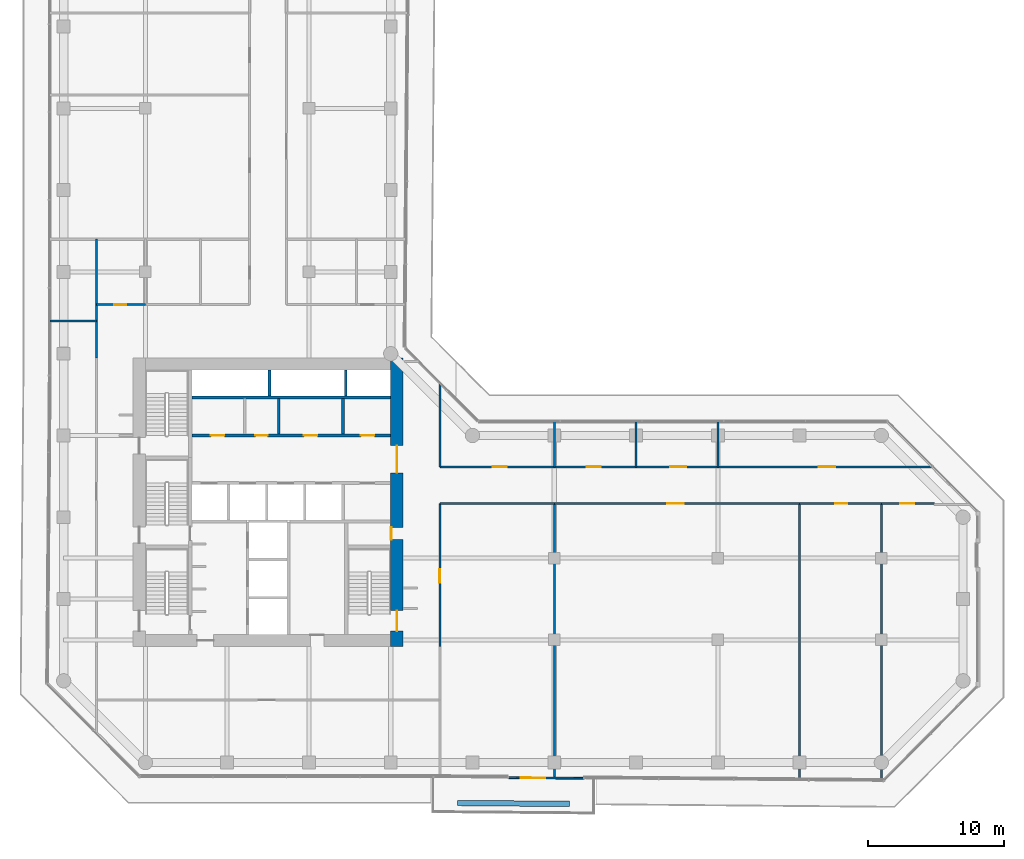
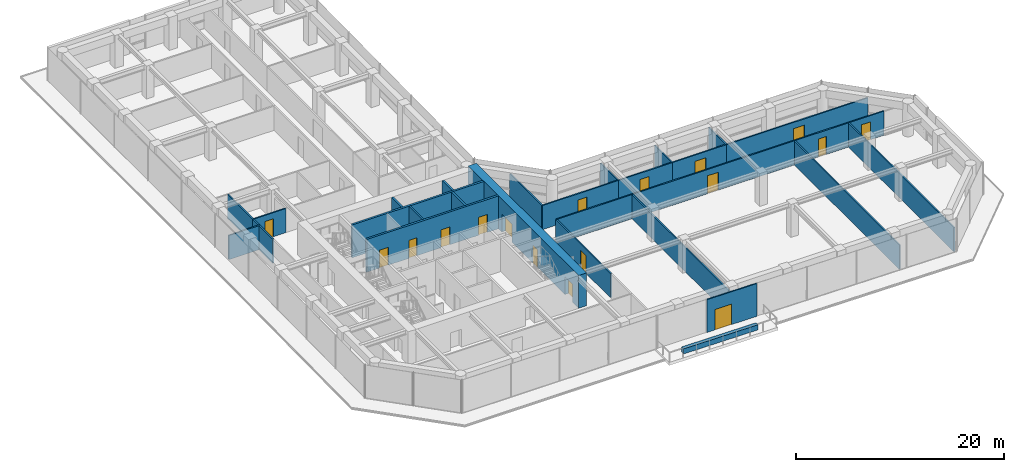
# One storey, part 24 of 29: 29 walls, 17 doors, 17 openings.
"""IFC4 building model written with IfcOpenShell, lengths in metres."""

from ifc_helpers import new_model, si_unit, direction, frame, frame_2d, origin, place, context, subcontext, project, spatial, rectangle, extrude, material, layer, layer_set, type_object, element, fill, save


model = new_model("IFC4")

# Units and contexts
model_context = context("Model", 3, precision=1e-05, world=origin(), true_north=direction((0.0, 1.0)))
body_context = subcontext(model_context, "Body", "Model", "MODEL_VIEW")
ifc_project = project(units=[si_unit("LENGTHUNIT", "METRE"), si_unit("AREAUNIT", "SQUARE_METRE"), si_unit("VOLUMEUNIT", "CUBIC_METRE"), si_unit("PLANEANGLEUNIT", "RADIAN"), si_unit("MASSUNIT", "GRAM", prefix="KILO")], contexts=[model_context])

# Site, building, storey
site_placement = place(None, origin())
site = spatial("IfcSite", under=ifc_project, at=site_placement, CompositionType="ELEMENT")
building_placement = place(site_placement, origin())
building = spatial("IfcBuilding", under=site, at=building_placement, Name="Welwitschia Terrace Campus", CompositionType="ELEMENT")
storey_placement = place(building_placement, frame((0.0, 0.0, 50.0)))
storey = spatial("IfcBuildingStorey", under=building, at=storey_placement, Name="L11", CompositionType="ELEMENT", Elevation=50.0)

# Wall, opening, door
ifc_material_1 = material(Name="Concrete C40/50", Category="concrete")
ifc_layer_1 = layer(ifc_material_1, 0.139892578125)
ifc_layer_set_1 = layer_set([ifc_layer_1], Name="Concrete C40/50")
wall_type_1 = type_object("IfcWallType", Name="Clad wall 140", PredefinedType="SOLIDWALL", material=ifc_layer_set_1)
wall_1_placement = place(storey_placement, frame((32.647216796875, -5.106201171875, 0.0), z_axis=(0.0, 0.0, 1.0), x_axis=(0.999962248572, -0.008689155911, 0.0)))
wall_1 = element("IfcWall", 1, at=wall_1_placement, inside=storey, type_object=wall_type_1, Name="Clad wall L11.terrace door 0", PredefinedType="SOLIDWALL", context=body_context, shape_type="SweptSolid", body=[
    extrude(rectangle(XDim=5.507080078125, YDim=0.139892578125, at=frame_2d((2.75341796875, 0.0))), origin(), (0.0, 0.0, 1.0), 3.85009765625),
])
opening_1_placement = place(wall_1_placement, frame((0.903076171875, 0.0, 0.0)))
opening_1 = element("IfcOpeningElement", 2, at=opening_1_placement, cuts=wall_1, Name="Opening DE3", PredefinedType="OPENING", context=body_context, shape_type="SweptSolid", body=[
    extrude(rectangle(XDim=1.800048828125, YDim=2.39990234375, at=frame_2d((0.89990234375, 1.199951171875))), frame((0.0, 0.079833984375, 0.0), z_axis=(0.0, -1.0, 0.0), x_axis=(1.0, 0.0, 0.0)), (0.0, 0.0, 1.0), 0.159912109375),
])
ifc_material_2 = material(Name="Bronze anodised aluminium and glass", Category="aluminium")
door_type_1 = type_object("IfcDoorType", Name="Terrace door 1800x2400", OperationType="DOUBLE_DOOR_DOUBLE_SWING", PredefinedType="DOOR", material=ifc_material_2)
door_1_placement = place(opening_1_placement, origin())
door_1 = element("IfcDoor", 3, at=door_1_placement, inside=storey, type_object=door_type_1, Name="Door L11:T0", OperationType="DOUBLE_DOOR_DOUBLE_SWING", OverallHeight=2.39990234375, OverallWidth=1.800048828125, PredefinedType="DOOR", context=body_context, shape_type="SweptSolid", body=[
    extrude(rectangle(XDim=1.800048828125, YDim=2.39990234375, at=frame_2d((0.89990234375, 1.199951171875))), frame((0.0, 0.02490234375, 0.0), z_axis=(0.0, -1.0, 0.0), x_axis=(1.0, 0.0, 0.0)), (0.0, 0.0, 1.0), 0.050048828125),
])
fill(opening_1, door_1)

# Wall
ifc_material_3 = material(Name="Concrete C32/40", Category="concrete")
ifc_layer_2 = layer(ifc_material_3, 0.175048828125)
ifc_layer_set_2 = layer_set([ifc_layer_2], Name="Concrete C32/40")
wall_type_2 = type_object("IfcWallType", Name="Core partition 175 Concrete C32/40", PredefinedType="PARTITIONING", material=ifc_layer_set_2)
wall_2_placement = place(storey_placement, frame((15.77490234375, 20.10009765625, 0.0), z_axis=(0.0, 0.0, 1.0), x_axis=(0.0, 1.0, 0.0)))
element("IfcWall", 4, at=wall_2_placement, inside=storey, type_object=wall_type_2, Name="Core partition", PredefinedType="PARTITIONING", context=body_context, shape_type="SweptSolid", body=[
    extrude(rectangle(XDim=2.599853515625, YDim=0.175048828125, at=frame_2d((1.2998046875, 0.0))), origin(), (0.0, 0.0, 1.0), 3.85009765625),
])

# Wall, openings, doors
ifc_material_4 = material(Name="Concrete C32/40", Category="concrete")
ifc_layer_3 = layer(ifc_material_4, 0.22509765625)
ifc_layer_set_3 = layer_set([ifc_layer_3], Name="Concrete C32/40")
wall_type_3 = type_object("IfcWallType", Name="Core partition 225 Concrete C32/40", PredefinedType="PARTITIONING", material=ifc_layer_set_3)
wall_3_placement = place(storey_placement, frame((24.0, 20.0, 0.0), z_axis=(0.0, 0.0, 1.0), x_axis=(-1.0, 0.0, 0.0)))
wall_3 = element("IfcWall", 5, at=wall_3_placement, inside=storey, type_object=wall_type_3, Name="Core partition", PredefinedType="PARTITIONING", context=body_context, shape_type="SweptSolid", body=[
    extrude(rectangle(XDim=14.60009765625, YDim=0.22509765625, at=frame_2d((7.300048828125, 0.0))), origin(), (0.0, 0.0, 1.0), 3.85009765625),
])
opening_2_placement = place(wall_3_placement, frame((12.199951171875, 0.0, 0.0)))
opening_2 = element("IfcOpeningElement", 6, at=opening_2_placement, cuts=wall_3, Name="Opening DR10", PredefinedType="OPENING", context=body_context, shape_type="SweptSolid", body=[
    extrude(rectangle(XDim=1.0, YDim=2.10009765625, at=frame_2d((0.5, 1.050048828125))), frame((0.0, 0.12255859375, 0.0), z_axis=(0.0, -1.0, 0.0), x_axis=(1.0, 0.0, 0.0)), (0.0, 0.0, 1.0), 0.2451171875),
])
opening_3_placement = place(wall_3_placement, frame((9.02490234375, 0.0, 0.0)))
opening_3 = element("IfcOpeningElement", 7, at=opening_3_placement, cuts=wall_3, Name="Opening DR09", PredefinedType="OPENING", context=body_context, shape_type="SweptSolid", body=[
    extrude(rectangle(XDim=0.89990234375, YDim=2.10009765625, at=frame_2d((0.449951171875, 1.050048828125))), frame((0.0, 0.12255859375, 0.0), z_axis=(0.0, -1.0, 0.0), x_axis=(1.0, 0.0, 0.0)), (0.0, 0.0, 1.0), 0.2451171875),
])
opening_4_placement = place(wall_3_placement, frame((5.375, 0.0, 0.0)))
opening_4 = element("IfcOpeningElement", 8, at=opening_4_placement, cuts=wall_3, Name="Opening DR10", PredefinedType="OPENING", context=body_context, shape_type="SweptSolid", body=[
    extrude(rectangle(XDim=1.0, YDim=2.10009765625, at=frame_2d((0.5, 1.050048828125))), frame((0.0, 0.12255859375, 0.0), z_axis=(0.0, -1.0, 0.0), x_axis=(1.0, 0.0, 0.0)), (0.0, 0.0, 1.0), 0.2451171875),
])
opening_5_placement = place(wall_3_placement, frame((1.199951171875, 0.0, 0.0)))
opening_5 = element("IfcOpeningElement", 9, at=opening_5_placement, cuts=wall_3, Name="Opening DR10", PredefinedType="OPENING", context=body_context, shape_type="SweptSolid", body=[
    extrude(rectangle(XDim=1.0, YDim=2.10009765625, at=frame_2d((0.5, 1.050048828125))), frame((0.0, 0.12255859375, 0.0), z_axis=(0.0, -1.0, 0.0), x_axis=(1.0, 0.0, 0.0)), (0.0, 0.0, 1.0), 0.2451171875),
])
ifc_material_5 = material(Name="Steel S275", Category="steel")
door_type_2 = type_object("IfcDoorType", Name="Core door DR09", OperationType="SINGLE_SWING_LEFT", PredefinedType="DOOR", material=ifc_material_5)
door_2_placement = place(opening_3_placement, origin())
door_2 = element("IfcDoor", 10, at=door_2_placement, inside=storey, type_object=door_type_2, Name="Door BAYH2-D", OperationType="SINGLE_SWING_RIGHT", OverallHeight=2.10009765625, OverallWidth=0.89990234375, PredefinedType="DOOR", context=body_context, shape_type="SweptSolid", body=[
    extrude(rectangle(XDim=0.89990234375, YDim=2.10009765625, at=frame_2d((0.449951171875, 1.050048828125))), frame((0.0, 0.02490234375, 0.0), z_axis=(0.0, -1.0, 0.0), x_axis=(1.0, 0.0, 0.0)), (0.0, 0.0, 1.0), 0.050048828125),
])
fill(opening_3, door_2)
ifc_material_6 = material(Name="Steel S275", Category="steel")
door_type_3 = type_object("IfcDoorType", Name="Core door DR10", OperationType="SINGLE_SWING_LEFT", PredefinedType="DOOR", material=ifc_material_6)
door_3_placement = place(opening_2_placement, origin())
door_3 = element("IfcDoor", 11, at=door_3_placement, inside=storey, type_object=door_type_3, Name="Door BAYH1-D", OperationType="SINGLE_SWING_RIGHT", OverallHeight=2.10009765625, OverallWidth=1.0, PredefinedType="DOOR", context=body_context, shape_type="SweptSolid", body=[
    extrude(rectangle(XDim=1.0, YDim=2.10009765625, at=frame_2d((0.5, 1.050048828125))), frame((0.0, 0.02490234375, 0.0), z_axis=(0.0, -1.0, 0.0), x_axis=(1.0, 0.0, 0.0)), (0.0, 0.0, 1.0), 0.050048828125),
])
fill(opening_2, door_3)
door_4_placement = place(opening_4_placement, origin())
door_4 = element("IfcDoor", 12, at=door_4_placement, inside=storey, type_object=door_type_3, Name="Door BAYH3-D", OperationType="SINGLE_SWING_LEFT", OverallHeight=2.10009765625, OverallWidth=1.0, PredefinedType="DOOR", context=body_context, shape_type="SweptSolid", body=[
    extrude(rectangle(XDim=1.0, YDim=2.10009765625, at=frame_2d((0.5, 1.050048828125))), frame((0.0, 0.02490234375, 0.0), z_axis=(0.0, -1.0, 0.0), x_axis=(1.0, 0.0, 0.0)), (0.0, 0.0, 1.0), 0.050048828125),
])
fill(opening_4, door_4)
door_5_placement = place(opening_5_placement, origin())
door_5 = element("IfcDoor", 13, at=door_5_placement, inside=storey, type_object=door_type_3, Name="Door EH-D", OperationType="SINGLE_SWING_LEFT", OverallHeight=2.10009765625, OverallWidth=1.0, PredefinedType="DOOR", context=body_context, shape_type="SweptSolid", body=[
    extrude(rectangle(XDim=1.0, YDim=2.10009765625, at=frame_2d((0.5, 1.050048828125))), frame((0.0, 0.02490234375, 0.0), z_axis=(0.0, -1.0, 0.0), x_axis=(1.0, 0.0, 0.0)), (0.0, 0.0, 1.0), 0.050048828125),
])
fill(opening_5, door_5)

# Walls
wall_4_placement = place(storey_placement, frame((9.39990234375, 22.800048828125, 0.0), z_axis=(0.0, 0.0, 1.0), x_axis=(1.0, 0.0, 0.0)))
element("IfcWall", 14, at=wall_4_placement, inside=storey, type_object=wall_type_3, Name="Shaft wall", PredefinedType="PARTITIONING", context=body_context, shape_type="SweptSolid", body=[
    extrude(rectangle(XDim=14.60009765625, YDim=0.22509765625, at=frame_2d((7.300048828125, 0.0))), origin(), (0.0, 0.0, 1.0), 3.85009765625),
])
wall_5_placement = place(storey_placement, frame((20.5, 20.10009765625, 0.0), z_axis=(0.0, 0.0, 1.0), x_axis=(0.0, 1.0, 0.0)))
element("IfcWall", 15, at=wall_5_placement, inside=storey, type_object=wall_type_3, Name="Core partition", PredefinedType="PARTITIONING", context=body_context, shape_type="SweptSolid", body=[
    extrude(rectangle(XDim=2.599853515625, YDim=0.22509765625, at=frame_2d((1.2998046875, 0.0))), origin(), (0.0, 0.0, 1.0), 3.85009765625),
])
ifc_material_7 = material(Name="Concrete C50/60", Category="concrete")
ifc_layer_4 = layer(ifc_material_7, 0.199951171875)
ifc_layer_set_4 = layer_set([ifc_layer_4], Name="Concrete C50/60")
wall_type_4 = type_object("IfcWallType", Name="Core wall 200 Concrete C50/60", PredefinedType="SHEAR", material=ifc_layer_set_4)
for number, where, z_axis, x_axis, name in (
    (16, (15.10009765625, 22.89990234375, 0.0), (0.0, 0.0, 1.0), (0.0, 1.0, 0.0), "Core wall"),
    (17, (20.699951171875, 22.89990234375, 0.0), (0.0, 0.0, 1.0), (0.0, 1.0, 0.0), "Core wall"),
):
    element("IfcWall", number, at=place(storey_placement, frame(where, z_axis=z_axis, x_axis=x_axis)), inside=storey, type_object=wall_type_4, Name=name, PredefinedType="SHEAR", context=body_context, shape_type="SweptSolid", body=[
        extrude(rectangle(XDim=1.900146484375, YDim=0.199951171875, at=frame_2d((0.9501953125, 0.0))), origin(), (0.0, 0.0, 1.0), 3.85009765625),
    ])

# Wall, openings, doors
ifc_material_8 = material(Name="Concrete C70/85", Category="concrete")
ifc_layer_5 = layer(ifc_material_8, 0.89990234375)
ifc_layer_set_5 = layer_set([ifc_layer_5], Name="Concrete C70/85")
wall_type_5 = type_object("IfcWallType", Name="Core wall 900 Concrete C70/85", PredefinedType="SHEAR", material=ifc_layer_set_5)
wall_6_placement = place(storey_placement, frame((24.449951171875, 25.699951171875, 0.0), z_axis=(0.0, 0.0, 1.0), x_axis=(0.0, -1.0, 0.0)))
wall_6 = element("IfcWall", 18, at=wall_6_placement, inside=storey, type_object=wall_type_5, Name="Core outer wall", PredefinedType="SHEAR", context=body_context, shape_type="SweptSolid", body=[
    extrude(rectangle(XDim=21.199951171875, YDim=0.89990234375, at=frame_2d((10.60009765625, 0.0))), origin(), (0.0, 0.0, 1.0), 3.85009765625),
])
opening_6_placement = place(wall_6_placement, frame((18.550048828125, 0.0, 0.0)))
opening_6 = element("IfcOpeningElement", 19, at=opening_6_placement, cuts=wall_6, Name="Opening DS15", PredefinedType="OPENING", context=body_context, shape_type="SweptSolid", body=[
    extrude(rectangle(XDim=1.5, YDim=2.10009765625, at=frame_2d((0.75, 1.050048828125))), frame((0.0, 0.4599609375, 0.0), z_axis=(0.0, -1.0, 0.0), x_axis=(1.0, 0.0, 0.0)), (0.0, 0.0, 1.0), 0.919921875),
])
opening_7_placement = place(wall_6_placement, frame((12.449951171875, 0.0, 0.0)))
opening_7 = element("IfcOpeningElement", 20, at=opening_7_placement, cuts=wall_6, Name="Opening DR09", PredefinedType="OPENING", context=body_context, shape_type="SweptSolid", body=[
    extrude(rectangle(XDim=0.89990234375, YDim=2.10009765625, at=frame_2d((0.449951171875, 1.050048828125))), frame((0.0, 0.4599609375, 0.0), z_axis=(0.0, -1.0, 0.0), x_axis=(1.0, 0.0, 0.0)), (0.0, 0.0, 1.0), 0.919921875),
])
opening_8_placement = place(wall_6_placement, frame((6.449951171875, 0.0, 0.0)))
opening_8 = element("IfcOpeningElement", 21, at=opening_8_placement, cuts=wall_6, Name="Opening DL20", PredefinedType="OPENING", context=body_context, shape_type="SweptSolid", body=[
    extrude(rectangle(XDim=2.0, YDim=2.10009765625, at=frame_2d((1.0, 1.050048828125))), frame((0.0, 0.4599609375, 0.0), z_axis=(0.0, -1.0, 0.0), x_axis=(1.0, 0.0, 0.0)), (0.0, 0.0, 1.0), 0.919921875),
])
ifc_material_9 = material(Name="Steel S275", Category="steel")
door_type_4 = type_object("IfcDoorType", Name="Core door DL20", OperationType="DOUBLE_DOOR_SINGLE_SWING", PredefinedType="DOOR", material=ifc_material_9)
door_6_placement = place(opening_8_placement, origin())
door_6 = element("IfcDoor", 22, at=door_6_placement, inside=storey, type_object=door_type_4, Name="Door LOBBY-out", OperationType="DOUBLE_DOOR_SINGLE_SWING", OverallHeight=2.10009765625, OverallWidth=2.0, PredefinedType="DOOR", context=body_context, shape_type="SweptSolid", body=[
    extrude(rectangle(XDim=2.0, YDim=2.10009765625, at=frame_2d((1.0, 1.050048828125))), frame((0.0, 0.02490234375, 0.0), z_axis=(0.0, -1.0, 0.0), x_axis=(1.0, 0.0, 0.0)), (0.0, 0.0, 1.0), 0.050048828125),
])
fill(opening_8, door_6)
door_7_placement = place(opening_7_placement, origin())
door_7 = element("IfcDoor", 23, at=door_7_placement, inside=storey, type_object=door_type_2, Name="Door F1B-out", OperationType="SINGLE_SWING_RIGHT", OverallHeight=2.10009765625, OverallWidth=0.89990234375, PredefinedType="DOOR", context=body_context, shape_type="SweptSolid", body=[
    extrude(rectangle(XDim=0.89990234375, YDim=2.10009765625, at=frame_2d((0.449951171875, 1.050048828125))), frame((0.0, -0.39013671875, 0.0), z_axis=(0.0, -1.0, 0.0), x_axis=(1.0, 0.0, 0.0)), (0.0, 0.0, 1.0), 0.050048828125),
])
fill(opening_7, door_7)
ifc_material_10 = material(Name="Steel S275", Category="steel")
door_type_5 = type_object("IfcDoorType", Name="Core door DS15", OperationType="DOUBLE_DOOR_SINGLE_SWING", PredefinedType="DOOR", material=ifc_material_10)
door_8_placement = place(opening_6_placement, origin())
door_8 = element("IfcDoor", 24, at=door_8_placement, inside=storey, type_object=door_type_5, Name="Door S2-out", OperationType="DOUBLE_DOOR_SINGLE_SWING", OverallHeight=2.10009765625, OverallWidth=1.5, PredefinedType="DOOR", context=body_context, shape_type="SweptSolid", body=[
    extrude(rectangle(XDim=1.5, YDim=2.10009765625, at=frame_2d((0.75, 1.050048828125))), frame((0.0, 0.02490234375, 0.0), z_axis=(0.0, -1.0, 0.0), x_axis=(1.0, 0.0, 0.0)), (0.0, 0.0, 1.0), 0.050048828125),
])
fill(opening_6, door_8)

# Walls
ifc_material_11 = material(Name="Gypsum board on steel studs", Category="steel")
ifc_layer_6 = layer(ifc_material_11, 0.14990234375)
ifc_layer_set_6 = layer_set([ifc_layer_6], Name="Gypsum board on steel studs")
wall_type_6 = type_object("IfcWallType", Name="Corridor partition 150 EI 30", PredefinedType="PARTITIONING", material=ifc_layer_set_6)
wall_7_placement = place(storey_placement, frame((-1.010009765625, 28.39990234375, 0.0), z_axis=(0.0, 0.0, 1.0), x_axis=(1.0, 0.0, 0.0)))
element("IfcWall", 25, at=wall_7_placement, inside=storey, type_object=wall_type_6, Name="Partition", PredefinedType="PARTITIONING", context=body_context, shape_type="SweptSolid", body=[
    extrude(rectangle(XDim=3.409912109375, YDim=0.14990234375, at=frame_2d((1.705078125, 0.0))), origin(), (0.0, 0.0, 1.0), 2.830078125),
])
wall_8_placement = place(storey_placement, frame((2.39990234375, 25.699951171875, 0.0), z_axis=(0.0, 0.0, 1.0), x_axis=(0.0, 1.0, 0.0)))
element("IfcWall", 26, at=wall_8_placement, inside=storey, type_object=wall_type_6, Name="Partition", PredefinedType="PARTITIONING", context=body_context, shape_type="SweptSolid", body=[
    extrude(rectangle(XDim=3.900146484375, YDim=0.14990234375, at=frame_2d((1.9501953125, 0.0))), origin(), (0.0, 0.0, 1.0), 2.830078125),
])
wall_9_placement = place(storey_placement, frame((2.39990234375, 29.60009765625, 0.0), z_axis=(0.0, 0.0, 1.0), x_axis=(0.0, 1.0, 0.0)))
element("IfcWall", 27, at=wall_9_placement, inside=storey, type_object=wall_type_6, Name="Partition", PredefinedType="PARTITIONING", context=body_context, shape_type="SweptSolid", body=[
    extrude(rectangle(XDim=4.7998046875, YDim=0.14990234375, at=frame_2d((2.39990234375, 0.0))), origin(), (0.0, 0.0, 1.0), 2.830078125),
])

# Wall, opening, door
wall_10_placement = place(storey_placement, frame((2.39990234375, 29.60009765625, 0.0), z_axis=(0.0, 0.0, 1.0), x_axis=(1.0, 0.0, 0.0)))
wall_10 = element("IfcWall", 28, at=wall_10_placement, inside=storey, type_object=wall_type_6, Name="Partition", PredefinedType="PARTITIONING", context=body_context, shape_type="SweptSolid", body=[
    extrude(rectangle(XDim=3.60009765625, YDim=0.14990234375, at=frame_2d((1.800048828125, 0.0))), origin(), (0.0, 0.0, 1.0), 2.830078125),
])
opening_9_placement = place(wall_10_placement, frame((1.300048828125, 0.0, 0.0)))
opening_9 = element("IfcOpeningElement", 29, at=opening_9_placement, cuts=wall_10, Name="Opening DI09", PredefinedType="OPENING", context=body_context, shape_type="SweptSolid", body=[
    extrude(rectangle(XDim=0.89990234375, YDim=2.10009765625, at=frame_2d((0.449951171875, 1.050048828125))), frame((0.0, 0.0849609375, 0.0), z_axis=(0.0, -1.0, 0.0), x_axis=(1.0, 0.0, 0.0)), (0.0, 0.0, 1.0), 0.169921875),
])
ifc_material_12 = material(Name="Timber veneered door", Category="wood")
door_type_6 = type_object("IfcDoorType", Name="Interior door DI09", OperationType="NOTDEFINED", PredefinedType="DOOR", material=ifc_material_12)
door_9_placement = place(opening_9_placement, origin())
door_9 = element("IfcDoor", 30, at=door_9_placement, inside=storey, type_object=door_type_6, Name="Door L11 249", OperationType="SINGLE_SWING_RIGHT", OverallHeight=2.10009765625, OverallWidth=0.89990234375, PredefinedType="DOOR", context=body_context, shape_type="SweptSolid", body=[
    extrude(rectangle(XDim=0.89990234375, YDim=2.10009765625, at=frame_2d((0.449951171875, 1.050048828125))), frame((0.0, 0.02490234375, 0.0), z_axis=(0.0, -1.0, 0.0), x_axis=(1.0, 0.0, 0.0)), (0.0, 0.0, 1.0), 0.050048828125),
])
fill(opening_9, door_9)

wall_11_placement = place(storey_placement, frame((27.60009765625, 15.0, 0.0), z_axis=(0.0, 0.0, 1.0), x_axis=(0.0, -1.0, 0.0)))
wall_11 = element("IfcWall", 31, at=wall_11_placement, inside=storey, type_object=wall_type_6, Name="Partition", PredefinedType="PARTITIONING", context=body_context, shape_type="SweptSolid", body=[
    extrude(rectangle(XDim=10.5, YDim=0.14990234375, at=frame_2d((5.25, 0.0))), origin(), (0.0, 0.0, 1.0), 2.830078125),
])
opening_10_placement = place(wall_11_placement, frame((4.800048828125, 0.0, 0.0)))
opening_10 = element("IfcOpeningElement", 32, at=opening_10_placement, cuts=wall_11, Name="Opening DI10", PredefinedType="OPENING", context=body_context, shape_type="SweptSolid", body=[
    extrude(rectangle(XDim=1.0, YDim=2.10009765625, at=frame_2d((0.5, 1.050048828125))), frame((0.0, 0.0849609375, 0.0), z_axis=(0.0, -1.0, 0.0), x_axis=(1.0, 0.0, 0.0)), (0.0, 0.0, 1.0), 0.169921875),
])
ifc_material_13 = material(Name="Timber veneered door", Category="wood")
door_type_7 = type_object("IfcDoorType", Name="Interior door DI10", OperationType="NOTDEFINED", PredefinedType="DOOR", material=ifc_material_13)
door_10_placement = place(opening_10_placement, origin())
door_10 = element("IfcDoor", 33, at=door_10_placement, inside=storey, type_object=door_type_7, Name="Door L11 259", OperationType="SINGLE_SWING_RIGHT", OverallHeight=2.10009765625, OverallWidth=1.0, PredefinedType="DOOR", context=body_context, shape_type="SweptSolid", body=[
    extrude(rectangle(XDim=1.0, YDim=2.10009765625, at=frame_2d((0.5, 1.050048828125))), frame((0.0, 0.02490234375, 0.0), z_axis=(0.0, -1.0, 0.0), x_axis=(1.0, 0.0, 0.0)), (0.0, 0.0, 1.0), 0.050048828125),
])
fill(opening_10, door_10)

# Walls
wall_12_placement = place(storey_placement, frame((27.60009765625, 15.0, 0.0), z_axis=(0.0, 0.0, 1.0), x_axis=(1.0, 0.0, 0.0)))
element("IfcWall", 34, at=wall_12_placement, inside=storey, type_object=wall_type_6, Name="Partition", PredefinedType="PARTITIONING", context=body_context, shape_type="SweptSolid", body=[
    extrude(rectangle(XDim=8.39990234375, YDim=0.14990234375, at=frame_2d((4.199951171875, 0.0))), origin(), (0.0, 0.0, 1.0), 2.830078125),
])
wall_13_placement = place(storey_placement, frame((27.60009765625, 17.699951171875, 0.0), z_axis=(0.0, 0.0, 1.0), x_axis=(0.0, 1.0, 0.0)))
element("IfcWall", 35, at=wall_13_placement, inside=storey, type_object=wall_type_6, Name="Partition", PredefinedType="PARTITIONING", context=body_context, shape_type="SweptSolid", body=[
    extrude(rectangle(XDim=6.14013671875, YDim=0.14990234375, at=frame_2d((3.070068359375, 0.0))), origin(), (0.0, 0.0, 1.0), 2.830078125),
])

# Wall, opening, door
wall_14_placement = place(storey_placement, frame((27.60009765625, 17.699951171875, 0.0), z_axis=(0.0, 0.0, 1.0), x_axis=(1.0, 0.0, 0.0)))
wall_14 = element("IfcWall", 36, at=wall_14_placement, inside=storey, type_object=wall_type_6, Name="Partition", PredefinedType="PARTITIONING", context=body_context, shape_type="SweptSolid", body=[
    extrude(rectangle(XDim=8.39990234375, YDim=0.14990234375, at=frame_2d((4.199951171875, 0.0))), origin(), (0.0, 0.0, 1.0), 2.830078125),
])
opening_11_placement = place(wall_14_placement, frame((3.89990234375, 0.0, 0.0)))
opening_11 = element("IfcOpeningElement", 37, at=opening_11_placement, cuts=wall_14, Name="Opening DI10", PredefinedType="OPENING", context=body_context, shape_type="SweptSolid", body=[
    extrude(rectangle(XDim=1.0, YDim=2.10009765625, at=frame_2d((0.5, 1.050048828125))), frame((0.0, 0.0849609375, 0.0), z_axis=(0.0, -1.0, 0.0), x_axis=(1.0, 0.0, 0.0)), (0.0, 0.0, 1.0), 0.169921875),
])
door_11_placement = place(opening_11_placement, origin())
door_11 = element("IfcDoor", 38, at=door_11_placement, inside=storey, type_object=door_type_7, Name="Door L11 260", OperationType="SINGLE_SWING_LEFT", OverallHeight=2.10009765625, OverallWidth=1.0, PredefinedType="DOOR", context=body_context, shape_type="SweptSolid", body=[
    extrude(rectangle(XDim=1.0, YDim=2.10009765625, at=frame_2d((0.5, 1.050048828125))), frame((0.0, 0.02490234375, 0.0), z_axis=(0.0, -1.0, 0.0), x_axis=(1.0, 0.0, 0.0)), (0.0, 0.0, 1.0), 0.050048828125),
])
fill(opening_11, door_11)

# Walls
wall_15_placement = place(storey_placement, frame((36.0, -5.090087890625, 0.0), z_axis=(0.0, 0.0, 1.0), x_axis=(0.0, 1.0, 0.0)))
element("IfcWall", 39, at=wall_15_placement, inside=storey, type_object=wall_type_6, Name="Partition", PredefinedType="PARTITIONING", context=body_context, shape_type="SweptSolid", body=[
    extrude(rectangle(XDim=20.090087890625, YDim=0.14990234375, at=frame_2d((10.044921875, 0.0))), origin(), (0.0, 0.0, 1.0), 2.830078125),
])
wall_16_placement = place(storey_placement, frame((36.0, 17.699951171875, 0.0), z_axis=(0.0, 0.0, 1.0), x_axis=(0.0, 1.0, 0.0)))
element("IfcWall", 40, at=wall_16_placement, inside=storey, type_object=wall_type_6, Name="Partition", PredefinedType="PARTITIONING", context=body_context, shape_type="SweptSolid", body=[
    extrude(rectangle(XDim=3.31005859375, YDim=0.14990234375, at=frame_2d((1.655029296875, 0.0))), origin(), (0.0, 0.0, 1.0), 2.830078125),
])

# Wall, opening, door
wall_17_placement = place(storey_placement, frame((36.0, 17.699951171875, 0.0), z_axis=(0.0, 0.0, 1.0), x_axis=(1.0, 0.0, 0.0)))
wall_17 = element("IfcWall", 41, at=wall_17_placement, inside=storey, type_object=wall_type_6, Name="Partition", PredefinedType="PARTITIONING", context=body_context, shape_type="SweptSolid", body=[
    extrude(rectangle(XDim=6.0, YDim=0.14990234375, at=frame_2d((3.0, 0.0))), origin(), (0.0, 0.0, 1.0), 2.830078125),
])
opening_12_placement = place(wall_17_placement, frame((2.39990234375, 0.0, 0.0)))
opening_12 = element("IfcOpeningElement", 42, at=opening_12_placement, cuts=wall_17, Name="Opening DI10", PredefinedType="OPENING", context=body_context, shape_type="SweptSolid", body=[
    extrude(rectangle(XDim=1.0, YDim=2.10009765625, at=frame_2d((0.5, 1.050048828125))), frame((0.0, 0.0849609375, 0.0), z_axis=(0.0, -1.0, 0.0), x_axis=(1.0, 0.0, 0.0)), (0.0, 0.0, 1.0), 0.169921875),
])
door_12_placement = place(opening_12_placement, origin())
door_12 = element("IfcDoor", 43, at=door_12_placement, inside=storey, type_object=door_type_7, Name="Door L11 261", OperationType="SINGLE_SWING_RIGHT", OverallHeight=2.10009765625, OverallWidth=1.0, PredefinedType="DOOR", context=body_context, shape_type="SweptSolid", body=[
    extrude(rectangle(XDim=1.0, YDim=2.10009765625, at=frame_2d((0.5, 1.050048828125))), frame((0.0, 0.02490234375, 0.0), z_axis=(0.0, -1.0, 0.0), x_axis=(1.0, 0.0, 0.0)), (0.0, 0.0, 1.0), 0.050048828125),
])
fill(opening_12, door_12)

# Wall
wall_18_placement = place(storey_placement, frame((42.0, 17.699951171875, 0.0), z_axis=(0.0, 0.0, 1.0), x_axis=(0.0, 1.0, 0.0)))
element("IfcWall", 44, at=wall_18_placement, inside=storey, type_object=wall_type_6, Name="Partition", PredefinedType="PARTITIONING", context=body_context, shape_type="SweptSolid", body=[
    extrude(rectangle(XDim=3.31005859375, YDim=0.14990234375, at=frame_2d((1.655029296875, 0.0))), origin(), (0.0, 0.0, 1.0), 2.830078125),
])

# Wall, opening, door
wall_19_placement = place(storey_placement, frame((42.0, 17.699951171875, 0.0), z_axis=(0.0, 0.0, 1.0), x_axis=(1.0, 0.0, 0.0)))
wall_19 = element("IfcWall", 45, at=wall_19_placement, inside=storey, type_object=wall_type_6, Name="Partition", PredefinedType="PARTITIONING", context=body_context, shape_type="SweptSolid", body=[
    extrude(rectangle(XDim=6.0, YDim=0.14990234375, at=frame_2d((3.0, 0.0))), origin(), (0.0, 0.0, 1.0), 2.830078125),
])
opening_13_placement = place(wall_19_placement, frame((2.5, 0.0, 0.0)))
opening_13 = element("IfcOpeningElement", 46, at=opening_13_placement, cuts=wall_19, Name="Opening DI12", PredefinedType="OPENING", context=body_context, shape_type="SweptSolid", body=[
    extrude(rectangle(XDim=1.199951171875, YDim=2.10009765625, at=frame_2d((0.60009765625, 1.050048828125))), frame((0.0, 0.0849609375, 0.0), z_axis=(0.0, -1.0, 0.0), x_axis=(1.0, 0.0, 0.0)), (0.0, 0.0, 1.0), 0.169921875),
])
ifc_material_14 = material(Name="Timber veneered door", Category="wood")
door_type_8 = type_object("IfcDoorType", Name="Interior door DI12", OperationType="NOTDEFINED", PredefinedType="DOOR", material=ifc_material_14)
door_13_placement = place(opening_13_placement, origin())
door_13 = element("IfcDoor", 47, at=door_13_placement, inside=storey, type_object=door_type_8, Name="Door L11 262", OperationType="SINGLE_SWING_LEFT", OverallHeight=2.10009765625, OverallWidth=1.199951171875, PredefinedType="DOOR", context=body_context, shape_type="SweptSolid", body=[
    extrude(rectangle(XDim=1.199951171875, YDim=2.10009765625, at=frame_2d((0.60009765625, 1.050048828125))), frame((0.0, 0.02490234375, 0.0), z_axis=(0.0, -1.0, 0.0), x_axis=(1.0, 0.0, 0.0)), (0.0, 0.0, 1.0), 0.050048828125),
])
fill(opening_13, door_13)

# Wall
wall_20_placement = place(storey_placement, frame((48.0, 17.699951171875, 0.0), z_axis=(0.0, 0.0, 1.0), x_axis=(0.0, 1.0, 0.0)))
element("IfcWall", 48, at=wall_20_placement, inside=storey, type_object=wall_type_6, Name="Partition", PredefinedType="PARTITIONING", context=body_context, shape_type="SweptSolid", body=[
    extrude(rectangle(XDim=3.31005859375, YDim=0.14990234375, at=frame_2d((1.655029296875, 0.0))), origin(), (0.0, 0.0, 1.0), 2.830078125),
])

# Wall, opening, door
wall_21_placement = place(storey_placement, frame((48.0, 17.699951171875, 0.0), z_axis=(0.0, 0.0, 1.0), x_axis=(1.0, 0.0, 0.0)))
wall_21 = element("IfcWall", 49, at=wall_21_placement, inside=storey, type_object=wall_type_6, Name="Partition", PredefinedType="PARTITIONING", context=body_context, shape_type="SweptSolid", body=[
    extrude(rectangle(XDim=15.68310546875, YDim=0.14990234375, at=frame_2d((7.841552734375, 0.0))), origin(), (0.0, 0.0, 1.0), 2.830078125),
])
opening_14_placement = place(wall_21_placement, frame((7.419921875, 0.0, 0.0)))
opening_14 = element("IfcOpeningElement", 50, at=opening_14_placement, cuts=wall_21, Name="Opening DI12", PredefinedType="OPENING", context=body_context, shape_type="SweptSolid", body=[
    extrude(rectangle(XDim=1.199951171875, YDim=2.10009765625, at=frame_2d((0.60009765625, 1.050048828125))), frame((0.0, 0.0849609375, 0.0), z_axis=(0.0, -1.0, 0.0), x_axis=(1.0, 0.0, 0.0)), (0.0, 0.0, 1.0), 0.169921875),
])
door_14_placement = place(opening_14_placement, origin())
door_14 = element("IfcDoor", 51, at=door_14_placement, inside=storey, type_object=door_type_8, Name="Door L11 263", OperationType="SINGLE_SWING_RIGHT", OverallHeight=2.10009765625, OverallWidth=1.199951171875, PredefinedType="DOOR", context=body_context, shape_type="SweptSolid", body=[
    extrude(rectangle(XDim=1.199951171875, YDim=2.10009765625, at=frame_2d((0.60009765625, 1.050048828125))), frame((0.0, 0.02490234375, 0.0), z_axis=(0.0, -1.0, 0.0), x_axis=(1.0, 0.0, 0.0)), (0.0, 0.0, 1.0), 0.050048828125),
])
fill(opening_14, door_14)

# Wall
wall_22_placement = place(storey_placement, frame((54.0, -5.239990234375, 0.0), z_axis=(0.0, 0.0, 1.0), x_axis=(0.0, 1.0, 0.0)))
element("IfcWall", 52, at=wall_22_placement, inside=storey, type_object=wall_type_6, Name="Partition", PredefinedType="PARTITIONING", context=body_context, shape_type="SweptSolid", body=[
    extrude(rectangle(XDim=20.239990234375, YDim=0.14990234375, at=frame_2d((10.1201171875, 0.0))), origin(), (0.0, 0.0, 1.0), 2.830078125),
])

# Wall, opening, door
wall_23_placement = place(storey_placement, frame((54.0, 15.0, 0.0), z_axis=(0.0, 0.0, 1.0), x_axis=(-1.0, 0.0, 0.0)))
wall_23 = element("IfcWall", 53, at=wall_23_placement, inside=storey, type_object=wall_type_6, Name="Partition", PredefinedType="PARTITIONING", context=body_context, shape_type="SweptSolid", body=[
    extrude(rectangle(XDim=18.0, YDim=0.14990234375, at=frame_2d((9.0, 0.0))), origin(), (0.0, 0.0, 1.0), 2.830078125),
])
opening_15_placement = place(wall_23_placement, frame((8.5, 0.0, 0.0)))
opening_15 = element("IfcOpeningElement", 54, at=opening_15_placement, cuts=wall_23, Name="Opening DI12", PredefinedType="OPENING", context=body_context, shape_type="SweptSolid", body=[
    extrude(rectangle(XDim=1.199951171875, YDim=2.10009765625, at=frame_2d((0.60009765625, 1.050048828125))), frame((0.0, 0.0849609375, 0.0), z_axis=(0.0, -1.0, 0.0), x_axis=(1.0, 0.0, 0.0)), (0.0, 0.0, 1.0), 0.169921875),
])
door_15_placement = place(opening_15_placement, origin())
door_15 = element("IfcDoor", 55, at=door_15_placement, inside=storey, type_object=door_type_8, Name="Door L11 264", OperationType="SINGLE_SWING_LEFT", OverallHeight=2.10009765625, OverallWidth=1.199951171875, PredefinedType="DOOR", context=body_context, shape_type="SweptSolid", body=[
    extrude(rectangle(XDim=1.199951171875, YDim=2.10009765625, at=frame_2d((0.60009765625, 1.050048828125))), frame((0.0, 0.02490234375, 0.0), z_axis=(0.0, -1.0, 0.0), x_axis=(1.0, 0.0, 0.0)), (0.0, 0.0, 1.0), 0.050048828125),
])
fill(opening_15, door_15)

# Wall
wall_24_placement = place(storey_placement, frame((60.0, -5.2900390625, 0.0), z_axis=(0.0, 0.0, 1.0), x_axis=(0.0, 1.0, 0.0)))
element("IfcWall", 56, at=wall_24_placement, inside=storey, type_object=wall_type_6, Name="Partition", PredefinedType="PARTITIONING", context=body_context, shape_type="SweptSolid", body=[
    extrude(rectangle(XDim=20.2900390625, YDim=0.14990234375, at=frame_2d((10.14501953125, 0.0))), origin(), (0.0, 0.0, 1.0), 2.830078125),
])

# Wall, opening, door
wall_25_placement = place(storey_placement, frame((60.0, 15.0, 0.0), z_axis=(0.0, 0.0, 1.0), x_axis=(-1.0, 0.0, 0.0)))
wall_25 = element("IfcWall", 57, at=wall_25_placement, inside=storey, type_object=wall_type_6, Name="Partition", PredefinedType="PARTITIONING", context=body_context, shape_type="SweptSolid", body=[
    extrude(rectangle(XDim=6.0, YDim=0.14990234375, at=frame_2d((3.0, 0.0))), origin(), (0.0, 0.0, 1.0), 2.830078125),
])
opening_16_placement = place(wall_25_placement, frame((2.5, 0.0, 0.0)))
opening_16 = element("IfcOpeningElement", 58, at=opening_16_placement, cuts=wall_25, Name="Opening DI09", PredefinedType="OPENING", context=body_context, shape_type="SweptSolid", body=[
    extrude(rectangle(XDim=0.89990234375, YDim=2.10009765625, at=frame_2d((0.449951171875, 1.050048828125))), frame((0.0, 0.0849609375, 0.0), z_axis=(0.0, -1.0, 0.0), x_axis=(1.0, 0.0, 0.0)), (0.0, 0.0, 1.0), 0.169921875),
])
door_16_placement = place(opening_16_placement, origin())
door_16 = element("IfcDoor", 59, at=door_16_placement, inside=storey, type_object=door_type_6, Name="Door L11 265", OperationType="SINGLE_SWING_RIGHT", OverallHeight=2.10009765625, OverallWidth=0.89990234375, PredefinedType="DOOR", context=body_context, shape_type="SweptSolid", body=[
    extrude(rectangle(XDim=0.89990234375, YDim=2.10009765625, at=frame_2d((0.449951171875, 1.050048828125))), frame((0.0, 0.02490234375, 0.0), z_axis=(0.0, -1.0, 0.0), x_axis=(1.0, 0.0, 0.0)), (0.0, 0.0, 1.0), 0.050048828125),
])
fill(opening_16, door_16)

wall_26_placement = place(storey_placement, frame((63.89990234375, 15.0, 0.0), z_axis=(0.0, 0.0, 1.0), x_axis=(-1.0, 0.0, 0.0)))
wall_26 = element("IfcWall", 60, at=wall_26_placement, inside=storey, type_object=wall_type_6, Name="Partition", PredefinedType="PARTITIONING", context=body_context, shape_type="SweptSolid", body=[
    extrude(rectangle(XDim=3.89990234375, YDim=0.14990234375, at=frame_2d((1.949951171875, 0.0))), origin(), (0.0, 0.0, 1.0), 2.830078125),
])
opening_17_placement = place(wall_26_placement, frame((1.5, 0.0, 0.0)))
opening_17 = element("IfcOpeningElement", 61, at=opening_17_placement, cuts=wall_26, Name="Opening DI10", PredefinedType="OPENING", context=body_context, shape_type="SweptSolid", body=[
    extrude(rectangle(XDim=1.0, YDim=2.10009765625, at=frame_2d((0.5, 1.050048828125))), frame((0.0, 0.0849609375, 0.0), z_axis=(0.0, -1.0, 0.0), x_axis=(1.0, 0.0, 0.0)), (0.0, 0.0, 1.0), 0.169921875),
])
door_17_placement = place(opening_17_placement, origin())
door_17 = element("IfcDoor", 62, at=door_17_placement, inside=storey, type_object=door_type_7, Name="Door L11 266", OperationType="SINGLE_SWING_LEFT", OverallHeight=2.10009765625, OverallWidth=1.0, PredefinedType="DOOR", context=body_context, shape_type="SweptSolid", body=[
    extrude(rectangle(XDim=1.0, YDim=2.10009765625, at=frame_2d((0.5, 1.050048828125))), frame((0.0, 0.02490234375, 0.0), z_axis=(0.0, -1.0, 0.0), x_axis=(1.0, 0.0, 0.0)), (0.0, 0.0, 1.0), 0.050048828125),
])
fill(opening_17, door_17)

# Wall
ifc_material_15 = material(Name="Concrete C40/50", Category="concrete")
ifc_layer_7 = layer(ifc_material_15, 0.39990234375)
ifc_layer_set_7 = layer_set([ifc_layer_7], Name="Concrete C40/50")
wall_type_7 = type_object("IfcWallType", Name="Planter wall 400", PredefinedType="SOLIDWALL", material=ifc_layer_set_7)
wall_27_placement = place(storey_placement, frame((37.105712890625, -7.037109375, 0.0), z_axis=(0.0, 0.0, 1.0), x_axis=(-0.999962728795, 0.008633714164, 0.0)))
element("IfcWall", 63, at=wall_27_placement, inside=storey, type_object=wall_type_7, Name="PLANTER", PredefinedType="SOLIDWALL", context=body_context, shape_type="SweptSolid", body=[
    extrude(rectangle(XDim=8.200439453125, YDim=0.39990234375, at=frame_2d((4.10009765625, 0.0))), origin(), (0.0, 0.0, 1.0), 0.60009765625),
])

save(model, "model.ifc")
